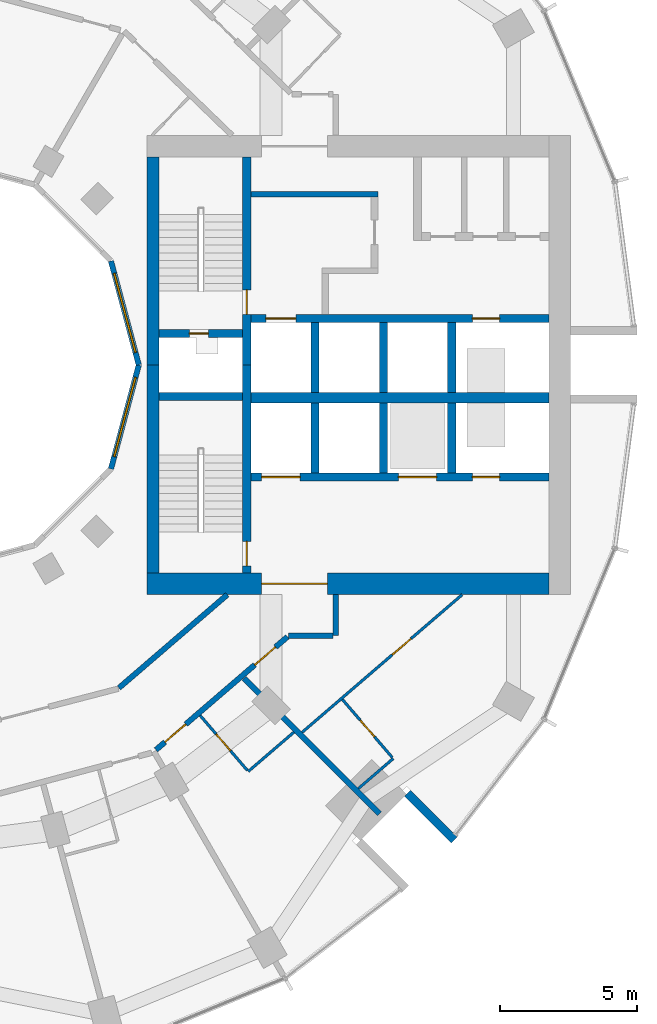
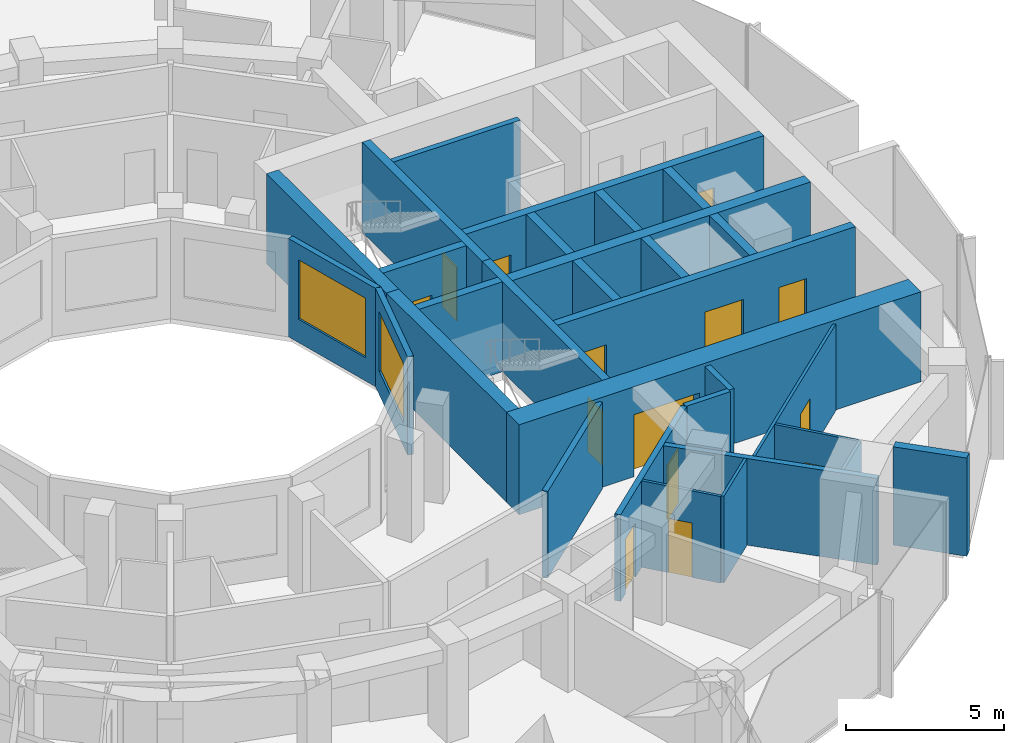
# One storey, part 10 of 15: 30 walls, 14 doors, 2 windows, 16 openings.
"""IFC4 building model written with IfcOpenShell, lengths in metres."""

from ifc_helpers import new_model, si_unit, direction, frame, frame_2d, origin, place, context, subcontext, project, spatial, rectangle, extrude, material, layer, layer_set, type_object, element, fill, save


model = new_model("IFC4")

# Units and contexts
model_context = context("Model", 3, precision=1e-05, world=origin(), true_north=direction((0.0, 1.0)))
body_context = subcontext(model_context, "Body", "Model", "MODEL_VIEW")
ifc_project = project(units=[si_unit("LENGTHUNIT", "METRE"), si_unit("AREAUNIT", "SQUARE_METRE"), si_unit("VOLUMEUNIT", "CUBIC_METRE"), si_unit("PLANEANGLEUNIT", "RADIAN"), si_unit("MASSUNIT", "GRAM", prefix="KILO")], contexts=[model_context])

# Site, building, storey
site_placement = place(None, origin())
site = spatial("IfcSite", under=ifc_project, at=site_placement, CompositionType="ELEMENT")
building_placement = place(site_placement, origin())
building = spatial("IfcBuilding", under=site, at=building_placement, Name="Torre Brocal", CompositionType="ELEMENT")
storey_placement = place(building_placement, frame((0.0, 0.0, 97.60009765625)))
storey = spatial("IfcBuildingStorey", under=building, at=storey_placement, Name="L22", CompositionType="ELEMENT", Elevation=97.60009765625)

# Wall
ifc_material_1 = material(Name="Concrete C80", Category="concrete")
ifc_layer_1 = layer(ifc_material_1, 0.199951171875)
ifc_layer_set_1 = layer_set([ifc_layer_1], Name="Concrete C80")
wall_type_1 = type_object("IfcWallType", Name="CORE WALL 200 C80", PredefinedType="SHEAR", material=ifc_layer_set_1)
wall_1_placement = place(storey_placement, frame((91.699951171875, 81.25, 0.0), z_axis=(0.0, 0.0, 1.0), x_axis=(1.0, 0.0, 0.0)))
element("IfcWall", 1, at=wall_1_placement, inside=storey, type_object=wall_type_1, Name="Wall CW200-80", PredefinedType="SHEAR", context=body_context, shape_type="SweptSolid", body=[
    extrude(rectangle(XDim=4.650146484375, YDim=0.199951171875, at=frame_2d((2.3251953125, 0.0))), origin(), (0.0, 0.0, 1.0), 3.47998046875),
])

# Wall, opening, door
ifc_material_2 = material(Name="Concrete C80", Category="concrete")
ifc_layer_2 = layer(ifc_material_2, 0.300048828125)
ifc_layer_set_2 = layer_set([ifc_layer_2], Name="Concrete C80")
wall_type_2 = type_object("IfcWallType", Name="CORE WALL 300 C80", PredefinedType="SHEAR", material=ifc_layer_set_2)
wall_2_placement = place(storey_placement, frame((91.550048828125, 75.0, 0.0), z_axis=(0.0, 0.0, 1.0), x_axis=(0.0, 1.0, 0.0)))
wall_2 = element("IfcWall", 2, at=wall_2_placement, inside=storey, type_object=wall_type_2, Name="Wall CW300-80", PredefinedType="SHEAR", context=body_context, shape_type="SweptSolid", body=[
    extrude(rectangle(XDim=7.60009765625, YDim=0.300048828125, at=frame_2d((3.800048828125, 0.0))), origin(), (0.0, 0.0, 1.0), 3.47998046875),
])
opening_1_placement = place(wall_2_placement, frame((1.85009765625, 0.0, 0.0)))
opening_1 = element("IfcOpeningElement", 3, at=opening_1_placement, cuts=wall_2, Name="Opening E-D02", PredefinedType="OPENING", context=body_context, shape_type="SweptSolid", body=[
    extrude(rectangle(XDim=0.89990234375, YDim=2.10009765625, at=frame_2d((0.449951171875, 1.050048828125))), frame((0.0, 0.159912109375, 0.0), z_axis=(0.0, -1.0, 0.0), x_axis=(1.0, 0.0, 0.0)), (0.0, 0.0, 1.0), 0.320068359375),
])
ifc_material_3 = material(Name="Steel A653", Category="steel")
door_type_1 = type_object("IfcDoorType", Name="STAIR DOOR FD120 900X2100", OperationType="SINGLE_SWING_RIGHT", PredefinedType="DOOR", material=ifc_material_3)
door_1_placement = place(opening_1_placement, origin())
door_1 = element("IfcDoor", 4, at=door_1_placement, inside=storey, type_object=door_type_1, Name="Door E-D02", OperationType="SINGLE_SWING_LEFT", OverallHeight=2.10009765625, OverallWidth=0.89990234375, PredefinedType="DOOR", context=body_context, shape_type="SweptSolid", body=[
    extrude(rectangle(XDim=0.89990234375, YDim=2.10009765625, at=frame_2d((0.449951171875, 1.050048828125))), frame((0.0, 0.02490234375, 0.0), z_axis=(0.0, -1.0, 0.0), x_axis=(1.0, 0.0, 0.0)), (0.0, 0.0, 1.0), 0.050048828125),
])
fill(opening_1, door_1)

wall_3_placement = place(storey_placement, frame((91.550048828125, 67.39990234375, 0.0), z_axis=(0.0, 0.0, 1.0), x_axis=(0.0, 1.0, 0.0)))
wall_3 = element("IfcWall", 5, at=wall_3_placement, inside=storey, type_object=wall_type_2, Name="Wall CW300-80", PredefinedType="SHEAR", context=body_context, shape_type="SweptSolid", body=[
    extrude(rectangle(XDim=7.60009765625, YDim=0.300048828125, at=frame_2d((3.800048828125, 0.0))), origin(), (0.0, 0.0, 1.0), 3.47998046875),
])
opening_2_placement = place(wall_3_placement, frame((0.25, 0.0, 0.0)))
opening_2 = element("IfcOpeningElement", 6, at=opening_2_placement, cuts=wall_3, Name="Opening E-D03", PredefinedType="OPENING", context=body_context, shape_type="SweptSolid", body=[
    extrude(rectangle(XDim=0.89990234375, YDim=2.10009765625, at=frame_2d((0.449951171875, 1.050048828125))), frame((0.0, 0.159912109375, 0.0), z_axis=(0.0, -1.0, 0.0), x_axis=(1.0, 0.0, 0.0)), (0.0, 0.0, 1.0), 0.320068359375),
])
door_2_placement = place(opening_2_placement, origin())
door_2 = element("IfcDoor", 7, at=door_2_placement, inside=storey, type_object=door_type_1, Name="Door E-D03", OperationType="SINGLE_SWING_LEFT", OverallHeight=2.10009765625, OverallWidth=0.89990234375, PredefinedType="DOOR", context=body_context, shape_type="SweptSolid", body=[
    extrude(rectangle(XDim=0.89990234375, YDim=2.10009765625, at=frame_2d((0.449951171875, 1.050048828125))), frame((0.0, 0.02490234375, 0.0), z_axis=(0.0, -1.0, 0.0), x_axis=(1.0, 0.0, 0.0)), (0.0, 0.0, 1.0), 0.050048828125),
])
fill(opening_2, door_2)

wall_4_placement = place(storey_placement, frame((88.35009765625, 76.14990234375, 0.0), z_axis=(0.0, 0.0, 1.0), x_axis=(1.0, 0.0, 0.0)))
wall_4 = element("IfcWall", 8, at=wall_4_placement, inside=storey, type_object=wall_type_2, Name="Wall CW300-80", PredefinedType="SHEAR", context=body_context, shape_type="SweptSolid", body=[
    extrude(rectangle(XDim=3.0498046875, YDim=0.300048828125, at=frame_2d((1.52490234375, 0.0))), origin(), (0.0, 0.0, 1.0), 3.47998046875),
])
opening_3_placement = place(wall_4_placement, frame((1.10009765625, 0.0, 0.0)))
opening_3 = element("IfcOpeningElement", 9, at=opening_3_placement, cuts=wall_4, Name="Opening E-D01", PredefinedType="OPENING", context=body_context, shape_type="SweptSolid", body=[
    extrude(rectangle(XDim=0.699951171875, YDim=2.0, at=frame_2d((0.35009765625, 1.0))), frame((0.0, 0.159912109375, 0.0), z_axis=(0.0, -1.0, 0.0), x_axis=(1.0, 0.0, 0.0)), (0.0, 0.0, 1.0), 0.320068359375),
])
ifc_material_4 = material(Name="Steel A653", Category="steel")
door_type_2 = type_object("IfcDoorType", Name="RISER DOOR FD120 700X2000", OperationType="SINGLE_SWING_LEFT", PredefinedType="DOOR", material=ifc_material_4)
door_3_placement = place(opening_3_placement, frame((0.699951171875, 0.0, 0.0), z_axis=(0.0, 0.0, 1.0), x_axis=(-1.0, 0.0, 0.0)))
door_3 = element("IfcDoor", 10, at=door_3_placement, inside=storey, type_object=door_type_2, Name="Door E-D01", OperationType="SINGLE_SWING_RIGHT", OverallHeight=2.0, OverallWidth=0.699951171875, PredefinedType="DOOR", context=body_context, shape_type="SweptSolid", body=[
    extrude(rectangle(XDim=0.699951171875, YDim=2.0, at=frame_2d((0.35009765625, 1.0))), frame((0.0, 0.02490234375, 0.0), z_axis=(0.0, -1.0, 0.0), x_axis=(1.0, 0.0, 0.0)), (0.0, 0.0, 1.0), 0.050048828125),
])
fill(opening_3, door_3)

# Wall
wall_5_placement = place(storey_placement, frame((88.35009765625, 73.85009765625, 0.0), z_axis=(0.0, 0.0, 1.0), x_axis=(1.0, 0.0, 0.0)))
element("IfcWall", 11, at=wall_5_placement, inside=storey, type_object=wall_type_2, Name="Wall CW300-80", PredefinedType="SHEAR", context=body_context, shape_type="SweptSolid", body=[
    extrude(rectangle(XDim=3.0498046875, YDim=0.300048828125, at=frame_2d((1.52490234375, 0.0))), origin(), (0.0, 0.0, 1.0), 3.47998046875),
])

# Wall, openings, doors
wall_6_placement = place(storey_placement, frame((91.699951171875, 76.699951171875, 0.0), z_axis=(0.0, 0.0, 1.0), x_axis=(1.0, 0.0, 0.0)))
wall_6 = element("IfcWall", 12, at=wall_6_placement, inside=storey, type_object=wall_type_2, Name="Wall CW300-80", PredefinedType="SHEAR", context=body_context, shape_type="SweptSolid", body=[
    extrude(rectangle(XDim=10.900146484375, YDim=0.300048828125, at=frame_2d((5.4501953125, 0.0))), origin(), (0.0, 0.0, 1.0), 3.47998046875),
])
opening_4_placement = place(wall_6_placement, frame((0.550048828125, 0.0, 0.0)))
opening_4 = element("IfcOpeningElement", 13, at=opening_4_placement, cuts=wall_6, Name="Opening LD", PredefinedType="OPENING", context=body_context, shape_type="SweptSolid", body=[
    extrude(rectangle(XDim=1.10009765625, YDim=2.10009765625, at=frame_2d((0.550048828125, 1.050048828125))), frame((0.0, 0.159912109375, 0.0), z_axis=(0.0, -1.0, 0.0), x_axis=(1.0, 0.0, 0.0)), (0.0, 0.0, 1.0), 0.320068359375),
])
opening_5_placement = place(wall_6_placement, frame((8.10009765625, 0.0, 0.0)))
opening_5 = element("IfcOpeningElement", 14, at=opening_5_placement, cuts=wall_6, Name="Opening LD10", PredefinedType="OPENING", context=body_context, shape_type="SweptSolid", body=[
    extrude(rectangle(XDim=1.0, YDim=2.10009765625, at=frame_2d((0.5, 1.050048828125))), frame((0.0, 0.159912109375, 0.0), z_axis=(0.0, -1.0, 0.0), x_axis=(1.0, 0.0, 0.0)), (0.0, 0.0, 1.0), 0.320068359375),
])
ifc_material_5 = material(Name="Stainless steel AISI 316", Category="steel")
door_type_3 = type_object("IfcDoorType", Name="LIFT LANDING DOOR 1000X2100", OperationType="DOUBLE_DOOR_SLIDING", PredefinedType="DOOR", material=ifc_material_5)
door_4_placement = place(opening_5_placement, origin())
door_4 = element("IfcDoor", 15, at=door_4_placement, inside=storey, type_object=door_type_3, Name="Door LD10", OperationType="DOUBLE_DOOR_SLIDING", OverallHeight=2.10009765625, OverallWidth=1.0, PredefinedType="DOOR", context=body_context, shape_type="SweptSolid", body=[
    extrude(rectangle(XDim=1.0, YDim=2.10009765625, at=frame_2d((0.5, 1.050048828125))), frame((0.0, 0.02490234375, 0.0), z_axis=(0.0, -1.0, 0.0), x_axis=(1.0, 0.0, 0.0)), (0.0, 0.0, 1.0), 0.050048828125),
])
fill(opening_5, door_4)
ifc_material_6 = material(Name="Stainless steel AISI 316", Category="steel")
door_type_4 = type_object("IfcDoorType", Name="LIFT LANDING DOOR 1100X2100", OperationType="DOUBLE_DOOR_SLIDING", PredefinedType="DOOR", material=ifc_material_6)
door_5_placement = place(opening_4_placement, origin())
door_5 = element("IfcDoor", 16, at=door_5_placement, inside=storey, type_object=door_type_4, Name="Door LD", OperationType="DOUBLE_DOOR_SLIDING", OverallHeight=2.10009765625, OverallWidth=1.10009765625, PredefinedType="DOOR", context=body_context, shape_type="SweptSolid", body=[
    extrude(rectangle(XDim=1.10009765625, YDim=2.10009765625, at=frame_2d((0.550048828125, 1.050048828125))), frame((0.0, 0.02490234375, 0.0), z_axis=(0.0, -1.0, 0.0), x_axis=(1.0, 0.0, 0.0)), (0.0, 0.0, 1.0), 0.050048828125),
])
fill(opening_4, door_5)

wall_7_placement = place(storey_placement, frame((91.699951171875, 70.89990234375, 0.0), z_axis=(0.0, 0.0, 1.0), x_axis=(1.0, 0.0, 0.0)))
wall_7 = element("IfcWall", 17, at=wall_7_placement, inside=storey, type_object=wall_type_2, Name="Wall CW300-80", PredefinedType="SHEAR", context=body_context, shape_type="SweptSolid", body=[
    extrude(rectangle(XDim=10.900146484375, YDim=0.300048828125, at=frame_2d((5.4501953125, 0.0))), origin(), (0.0, 0.0, 1.0), 3.47998046875),
])
opening_6_placement = place(wall_7_placement, frame((0.39990234375, 0.0, 0.0)))
opening_6 = element("IfcOpeningElement", 18, at=opening_6_placement, cuts=wall_7, Name="Opening LD14", PredefinedType="OPENING", context=body_context, shape_type="SweptSolid", body=[
    extrude(rectangle(XDim=1.39990234375, YDim=2.10009765625, at=frame_2d((0.699951171875, 1.050048828125))), frame((0.0, 0.159912109375, 0.0), z_axis=(0.0, -1.0, 0.0), x_axis=(1.0, 0.0, 0.0)), (0.0, 0.0, 1.0), 0.320068359375),
])
opening_7_placement = place(wall_7_placement, frame((5.39990234375, 0.0, 0.0)))
opening_7 = element("IfcOpeningElement", 19, at=opening_7_placement, cuts=wall_7, Name="Opening LD14", PredefinedType="OPENING", context=body_context, shape_type="SweptSolid", body=[
    extrude(rectangle(XDim=1.39990234375, YDim=2.10009765625, at=frame_2d((0.699951171875, 1.050048828125))), frame((0.0, 0.159912109375, 0.0), z_axis=(0.0, -1.0, 0.0), x_axis=(1.0, 0.0, 0.0)), (0.0, 0.0, 1.0), 0.320068359375),
])
opening_8_placement = place(wall_7_placement, frame((8.10009765625, 0.0, 0.0)))
opening_8 = element("IfcOpeningElement", 20, at=opening_8_placement, cuts=wall_7, Name="Opening LD10", PredefinedType="OPENING", context=body_context, shape_type="SweptSolid", body=[
    extrude(rectangle(XDim=1.0, YDim=2.10009765625, at=frame_2d((0.5, 1.050048828125))), frame((0.0, 0.159912109375, 0.0), z_axis=(0.0, -1.0, 0.0), x_axis=(1.0, 0.0, 0.0)), (0.0, 0.0, 1.0), 0.320068359375),
])
door_6_placement = place(opening_8_placement, origin())
door_6 = element("IfcDoor", 21, at=door_6_placement, inside=storey, type_object=door_type_3, Name="Door LD10", OperationType="DOUBLE_DOOR_SLIDING", OverallHeight=2.10009765625, OverallWidth=1.0, PredefinedType="DOOR", context=body_context, shape_type="SweptSolid", body=[
    extrude(rectangle(XDim=1.0, YDim=2.10009765625, at=frame_2d((0.5, 1.050048828125))), frame((0.0, 0.02490234375, 0.0), z_axis=(0.0, -1.0, 0.0), x_axis=(1.0, 0.0, 0.0)), (0.0, 0.0, 1.0), 0.050048828125),
])
fill(opening_8, door_6)
ifc_material_7 = material(Name="Stainless steel AISI 316", Category="steel")
door_type_5 = type_object("IfcDoorType", Name="LIFT LANDING DOOR 1400X2100", OperationType="DOUBLE_DOOR_SLIDING", PredefinedType="DOOR", material=ifc_material_7)
door_7_placement = place(opening_6_placement, origin())
door_7 = element("IfcDoor", 22, at=door_7_placement, inside=storey, type_object=door_type_5, Name="Door LD14", OperationType="DOUBLE_DOOR_SLIDING", OverallHeight=2.10009765625, OverallWidth=1.39990234375, PredefinedType="DOOR", context=body_context, shape_type="SweptSolid", body=[
    extrude(rectangle(XDim=1.39990234375, YDim=2.10009765625, at=frame_2d((0.699951171875, 1.050048828125))), frame((0.0, 0.02490234375, 0.0), z_axis=(0.0, -1.0, 0.0), x_axis=(1.0, 0.0, 0.0)), (0.0, 0.0, 1.0), 0.050048828125),
])
fill(opening_6, door_7)
door_8_placement = place(opening_7_placement, origin())
door_8 = element("IfcDoor", 23, at=door_8_placement, inside=storey, type_object=door_type_5, Name="Door LD14", OperationType="DOUBLE_DOOR_SLIDING", OverallHeight=2.10009765625, OverallWidth=1.39990234375, PredefinedType="DOOR", context=body_context, shape_type="SweptSolid", body=[
    extrude(rectangle(XDim=1.39990234375, YDim=2.10009765625, at=frame_2d((0.699951171875, 1.050048828125))), frame((0.0, 0.02490234375, 0.0), z_axis=(0.0, -1.0, 0.0), x_axis=(1.0, 0.0, 0.0)), (0.0, 0.0, 1.0), 0.050048828125),
])
fill(opening_7, door_8)

# Walls
for number, where, z_axis, x_axis, name in (
    (24, (94.050048828125, 74.0, 0.0), (0.0, 0.0, 1.0), (0.0, 1.0, 0.0), "Wall CW300-80"),
    (25, (96.550048828125, 74.0, 0.0), (0.0, 0.0, 1.0), (0.0, 1.0, 0.0), "Wall CW300-80"),
    (26, (99.050048828125, 74.0, 0.0), (0.0, 0.0, 1.0), (0.0, 1.0, 0.0), "Wall CW300-80"),
    (27, (94.050048828125, 71.050048828125, 0.0), (0.0, 0.0, 1.0), (0.0, 1.0, 0.0), "Wall CW300-80"),
    (28, (96.550048828125, 71.050048828125, 0.0), (0.0, 0.0, 1.0), (0.0, 1.0, 0.0), "Wall CW300-80"),
    (29, (99.050048828125, 71.050048828125, 0.0), (0.0, 0.0, 1.0), (0.0, 1.0, 0.0), "Wall CW300-80"),
):
    element("IfcWall", number, at=place(storey_placement, frame(where, z_axis=z_axis, x_axis=x_axis)), inside=storey, type_object=wall_type_2, Name=name, PredefinedType="SHEAR", context=body_context, shape_type="SweptSolid", body=[
        extrude(rectangle(XDim=2.550048828125, YDim=0.300048828125, at=frame_2d((1.27490234375, 0.0))), origin(), (0.0, 0.0, 1.0), 3.47998046875),
    ])
ifc_material_8 = material(Name="Concrete C80", Category="concrete")
ifc_layer_3 = layer(ifc_material_8, 0.39990234375)
ifc_layer_set_3 = layer_set([ifc_layer_3], Name="Concrete C80")
wall_type_3 = type_object("IfcWallType", Name="CORE WALL 400 C80", PredefinedType="SHEAR", material=ifc_layer_set_3)
wall_8_placement = place(storey_placement, frame((91.699951171875, 73.800048828125, 0.0), z_axis=(0.0, 0.0, 1.0), x_axis=(1.0, 0.0, 0.0)))
element("IfcWall", 30, at=wall_8_placement, inside=storey, type_object=wall_type_3, Name="Wall CW400-80", PredefinedType="SHEAR", context=body_context, shape_type="SweptSolid", body=[
    extrude(rectangle(XDim=10.900146484375, YDim=0.39990234375, at=frame_2d((5.4501953125, 0.0))), origin(), (0.0, 0.0, 1.0), 3.47998046875),
])
ifc_material_9 = material(Name="Concrete C80", Category="concrete")
ifc_layer_4 = layer(ifc_material_9, 0.449951171875)
ifc_layer_set_4 = layer_set([ifc_layer_4], Name="Concrete C80")
wall_type_4 = type_object("IfcWallType", Name="CORE WALL 450 C80", PredefinedType="SHEAR", material=ifc_layer_set_4)
for number, where, z_axis, x_axis, name in (
    (31, (88.125, 75.0, 0.0), (0.0, 0.0, 1.0), (0.0, 1.0, 0.0), "Wall CW450-80"),
    (32, (88.125, 67.39990234375, 0.0), (0.0, 0.0, 1.0), (0.0, 1.0, 0.0), "Wall CW450-80"),
):
    element("IfcWall", number, at=place(storey_placement, frame(where, z_axis=z_axis, x_axis=x_axis)), inside=storey, type_object=wall_type_4, Name=name, PredefinedType="SHEAR", context=body_context, shape_type="SweptSolid", body=[
        extrude(rectangle(XDim=7.60009765625, YDim=0.449951171875, at=frame_2d((3.800048828125, 0.0))), origin(), (0.0, 0.0, 1.0), 3.47998046875),
    ])

# Wall, opening, door
ifc_material_10 = material(Name="Concrete C80", Category="concrete")
ifc_layer_5 = layer(ifc_material_10, 0.800048828125)
ifc_layer_set_5 = layer_set([ifc_layer_5], Name="Concrete C80")
wall_type_5 = type_object("IfcWallType", Name="CORE WALL 800 C80", PredefinedType="SHEAR", material=ifc_layer_set_5)
wall_9_placement = place(storey_placement, frame((87.89990234375, 67.0, 0.0), z_axis=(0.0, 0.0, 1.0), x_axis=(1.0, 0.0, 0.0)))
wall_9 = element("IfcWall", 33, at=wall_9_placement, inside=storey, type_object=wall_type_5, Name="Wall CW800-80", PredefinedType="SHEAR", context=body_context, shape_type="SweptSolid", body=[
    extrude(rectangle(XDim=14.7001953125, YDim=0.800048828125, at=frame_2d((7.35009765625, 0.0))), origin(), (0.0, 0.0, 1.0), 3.47998046875),
])
opening_9_placement = place(wall_9_placement, frame((4.199951171875, 0.0, 0.0)))
opening_9 = element("IfcOpeningElement", 34, at=opening_9_placement, cuts=wall_9, Name="Opening E-D30", PredefinedType="OPENING", context=body_context, shape_type="SweptSolid", body=[
    extrude(rectangle(XDim=2.39990234375, YDim=2.39990234375, at=frame_2d((1.199951171875, 1.199951171875))), frame((0.0, 0.409912109375, 0.0), z_axis=(0.0, -1.0, 0.0), x_axis=(1.0, 0.0, 0.0)), (0.0, 0.0, 1.0), 0.820068359375),
])
ifc_material_11 = material(Name="Steel A653", Category="steel")
door_type_6 = type_object("IfcDoorType", Name="DOUBLE FIRE DOOR FD90 2400X2400", OperationType="DOUBLE_DOOR_SINGLE_SWING", PredefinedType="DOOR", material=ifc_material_11)
door_9_placement = place(opening_9_placement, origin())
door_9 = element("IfcDoor", 35, at=door_9_placement, inside=storey, type_object=door_type_6, Name="Door E-D30", OperationType="DOUBLE_DOOR_SINGLE_SWING", OverallHeight=2.39990234375, OverallWidth=2.39990234375, PredefinedType="DOOR", context=body_context, shape_type="SweptSolid", body=[
    extrude(rectangle(XDim=2.39990234375, YDim=2.39990234375, at=frame_2d((1.199951171875, 1.199951171875))), frame((0.0, 0.02490234375, 0.0), z_axis=(0.0, -1.0, 0.0), x_axis=(1.0, 0.0, 0.0)), (0.0, 0.0, 1.0), 0.050048828125),
])
fill(opening_9, door_9)

# Wall
ifc_material_12 = material(Name="Concrete C80", Category="concrete")
ifc_layer_6 = layer(ifc_material_12, 0.300048828125)
ifc_layer_set_6 = layer_set([ifc_layer_6], Name="Concrete C80")
wall_type_6 = type_object("IfcWallType", Name="NOTCH RETURN WALL 300 C80", PredefinedType="NOTDEFINED", material=ifc_layer_set_6)
wall_10_placement = place(storey_placement, frame((97.43017578125, 59.337646484375, 0.0), z_axis=(0.0, 0.0, 1.0), x_axis=(0.707106781187, -0.707106781187, 0.0)))
element("IfcWall", 36, at=wall_10_placement, inside=storey, type_object=wall_type_6, Name="NOTCH RETURN WALL", PredefinedType="NOTDEFINED", context=body_context, shape_type="SweptSolid", body=[
    extrude(rectangle(XDim=2.415771484375, YDim=0.300048828125, at=frame_2d((1.2080078125, 0.0))), origin(), (0.0, 0.0, 1.0), 3.7998046875),
])

# Wall, opening, door
ifc_material_13 = material(Name="Gypsum board", Category="Gypsum")
ifc_layer_7 = layer(ifc_material_13, 0.10009765625)
ifc_layer_set_7 = layer_set([ifc_layer_7], Name="Gypsum board")
wall_type_7 = type_object("IfcWallType", Name="PARTITION 100", PredefinedType="PARTITIONING", material=ifc_layer_set_7)
wall_11_placement = place(storey_placement, frame((89.846435546875, 62.181884765625, 0.0), z_axis=(0.0, 0.0, 1.0), x_axis=(0.652095405055, -0.758136915541, 0.0)))
wall_11 = element("IfcWall", 37, at=wall_11_placement, inside=storey, type_object=wall_type_7, Name="BATHROOM WALL", PredefinedType="PARTITIONING", context=body_context, shape_type="SweptSolid", body=[
    extrude(rectangle(XDim=2.64990234375, YDim=0.10009765625, at=frame_2d((1.324951171875, 0.0))), origin(), (0.0, 0.0, 1.0), 3.349853515625),
])
opening_10_placement = place(wall_11_placement, frame((0.899658203125, 0.0, 0.0)))
opening_10 = element("IfcOpeningElement", 38, at=opening_10_placement, cuts=wall_11, Name="Opening H06-D22", PredefinedType="OPENING", context=body_context, shape_type="SweptSolid", body=[
    extrude(rectangle(XDim=0.800048828125, YDim=2.10009765625, at=frame_2d((0.39990234375, 1.050048828125))), frame((0.0, 0.06005859375, 0.0), z_axis=(0.0, -1.0, 0.0), x_axis=(1.0, 0.0, 0.0)), (0.0, 0.0, 1.0), 0.1201171875),
])
ifc_material_14 = material(Name="Timber", Category="wood")
door_type_7 = type_object("IfcDoorType", Name="BATHROOM DOOR 800X2100", OperationType="SINGLE_SWING_LEFT", PredefinedType="DOOR", material=ifc_material_14)
door_10_placement = place(opening_10_placement, origin())
door_10 = element("IfcDoor", 39, at=door_10_placement, inside=storey, type_object=door_type_7, Name="H06-D22", OperationType="SINGLE_SWING_LEFT", OverallHeight=2.10009765625, OverallWidth=0.800048828125, PredefinedType="DOOR", context=body_context, shape_type="SweptSolid", body=[
    extrude(rectangle(XDim=0.800048828125, YDim=2.10009765625, at=frame_2d((0.39990234375, 1.050048828125))), frame((0.0, 0.02490234375, 0.0), z_axis=(0.0, -1.0, 0.0), x_axis=(1.0, 0.0, 0.0)), (0.0, 0.0, 1.0), 0.050048828125),
])
fill(opening_10, door_10)

# Wall
wall_12_placement = place(storey_placement, frame((91.60693359375, 60.135009765625, 0.0), z_axis=(0.0, 0.0, 1.0), x_axis=(0.758135842672, 0.652096652388, 0.0)))
element("IfcWall", 40, at=wall_12_placement, inside=storey, type_object=wall_type_7, Name="BATHROOM WALL", PredefinedType="PARTITIONING", context=body_context, shape_type="SweptSolid", body=[
    extrude(rectangle(XDim=2.201171875, YDim=0.10009765625, at=frame_2d((1.1005859375, 0.0))), origin(), (0.0, 0.0, 1.0), 3.349853515625),
])

# Wall, opening, door
wall_13_placement = place(storey_placement, frame((93.576904296875, 61.565185546875, 0.0), z_axis=(0.0, 0.0, 1.0), x_axis=(0.75812140399, 0.652113438607, 0.0)))
wall_13 = element("IfcWall", 41, at=wall_13_placement, inside=storey, type_object=wall_type_7, Name="BATHROOM WALL", PredefinedType="PARTITIONING", context=body_context, shape_type="SweptSolid", body=[
    extrude(rectangle(XDim=7.7197265625, YDim=0.10009765625, at=frame_2d((3.85986328125, 0.0))), origin(), (0.0, 0.0, 1.0), 3.349853515625),
])
opening_11_placement = place(wall_13_placement, frame((4.349853515625, 0.0, 0.0)))
opening_11 = element("IfcOpeningElement", 42, at=opening_11_placement, cuts=wall_13, Name="Opening H06-D19", PredefinedType="OPENING", context=body_context, shape_type="SweptSolid", body=[
    extrude(rectangle(XDim=0.89990234375, YDim=2.10009765625, at=frame_2d((0.449951171875, 1.050048828125))), frame((0.0, 0.06005859375, 0.0), z_axis=(0.0, -1.0, 0.0), x_axis=(1.0, 0.0, 0.0)), (0.0, 0.0, 1.0), 0.1201171875),
])
ifc_material_15 = material(Name="Timber", Category="wood")
door_type_8 = type_object("IfcDoorType", Name="ROOM DOOR 900X2100", OperationType="SINGLE_SWING_LEFT", PredefinedType="DOOR", material=ifc_material_15)
door_11_placement = place(opening_11_placement, origin())
door_11 = element("IfcDoor", 43, at=door_11_placement, inside=storey, type_object=door_type_8, Name="H06-D19", OperationType="SINGLE_SWING_RIGHT", OverallHeight=2.10009765625, OverallWidth=0.89990234375, PredefinedType="DOOR", context=body_context, shape_type="SweptSolid", body=[
    extrude(rectangle(XDim=0.89990234375, YDim=2.10009765625, at=frame_2d((0.449951171875, 1.050048828125))), frame((0.0, 0.02490234375, 0.0), z_axis=(0.0, -1.0, 0.0), x_axis=(1.0, 0.0, 0.0)), (0.0, 0.0, 1.0), 0.050048828125),
])
fill(opening_11, door_11)

wall_14_placement = place(storey_placement, frame((95.049560546875, 62.76611328125, 0.0), z_axis=(0.0, 0.0, 1.0), x_axis=(0.652190642827, -0.75805498838, 0.0)))
wall_14 = element("IfcWall", 44, at=wall_14_placement, inside=storey, type_object=wall_type_7, Name="BATHROOM WALL", PredefinedType="PARTITIONING", context=body_context, shape_type="SweptSolid", body=[
    extrude(rectangle(XDim=2.7998046875, YDim=0.10009765625, at=frame_2d((1.39990234375, 0.0))), origin(), (0.0, 0.0, 1.0), 3.349853515625),
])
opening_12_placement = place(wall_14_placement, frame((0.999755859375, 0.0, 0.0)))
opening_12 = element("IfcOpeningElement", 45, at=opening_12_placement, cuts=wall_14, Name="Opening H06-D20", PredefinedType="OPENING", context=body_context, shape_type="SweptSolid", body=[
    extrude(rectangle(XDim=0.800048828125, YDim=2.10009765625, at=frame_2d((0.39990234375, 1.050048828125))), frame((0.0, 0.06005859375, 0.0), z_axis=(0.0, -1.0, 0.0), x_axis=(1.0, 0.0, 0.0)), (0.0, 0.0, 1.0), 0.1201171875),
])
door_12_placement = place(opening_12_placement, frame((0.800048828125, 0.0, 0.0), z_axis=(0.0, 0.0, 1.0), x_axis=(-1.0, 0.0, 0.0)))
door_12 = element("IfcDoor", 46, at=door_12_placement, inside=storey, type_object=door_type_7, Name="H06-D20", OperationType="SINGLE_SWING_RIGHT", OverallHeight=2.10009765625, OverallWidth=0.800048828125, PredefinedType="DOOR", context=body_context, shape_type="SweptSolid", body=[
    extrude(rectangle(XDim=0.800048828125, YDim=2.10009765625, at=frame_2d((0.39990234375, 1.050048828125))), frame((0.0, 0.02490234375, 0.0), z_axis=(0.0, -1.0, 0.0), x_axis=(1.0, 0.0, 0.0)), (0.0, 0.0, 1.0), 0.050048828125),
])
fill(opening_12, door_12)

# Walls
wall_15_placement = place(storey_placement, frame((95.6337890625, 59.50927734375, 0.0), z_axis=(0.0, 0.0, 1.0), x_axis=(0.757922369717, 0.652344756614, 0.0)))
element("IfcWall", 47, at=wall_15_placement, inside=storey, type_object=wall_type_7, Name="BATHROOM WALL", PredefinedType="PARTITIONING", context=body_context, shape_type="SweptSolid", body=[
    extrude(rectangle(XDim=1.68115234375, YDim=0.10009765625, at=frame_2d((0.840576171875, 0.0))), origin(), (0.0, 0.0, 1.0), 3.349853515625),
])
ifc_material_16 = material(Name="Gypsum board", Category="Gypsum")
ifc_layer_8 = layer(ifc_material_16, 0.199951171875)
ifc_layer_set_8 = layer_set([ifc_layer_8], Name="Gypsum board")
wall_type_8 = type_object("IfcWallType", Name="PARTITION 200 EI60", PredefinedType="PARTITIONING", material=ifc_layer_set_8)
wall_16_placement = place(storey_placement, frame((86.876953125, 63.18896484375, 0.0), z_axis=(0.0, 0.0, 1.0), x_axis=(0.758088707506, 0.652151448325, 0.0)))
element("IfcWall", 48, at=wall_16_placement, inside=storey, type_object=wall_type_8, Name="GUESTROOM CORRIDOR WALL", PredefinedType="PARTITIONING", context=body_context, shape_type="SweptSolid", body=[
    extrude(rectangle(XDim=5.22900390625, YDim=0.199951171875, at=frame_2d((2.614501953125, 0.0))), origin(), (0.0, 0.0, 1.0), 3.349853515625),
])

# Wall, openings, doors
wall_17_placement = place(storey_placement, frame((88.228759765625, 60.922607421875, 0.0), z_axis=(0.0, 0.0, 1.0), x_axis=(0.758220952094, 0.651997690031, 0.0)))
wall_17 = element("IfcWall", 49, at=wall_17_placement, inside=storey, type_object=wall_type_8, Name="FLAT ENTRANCE WALL", PredefinedType="PARTITIONING", context=body_context, shape_type="SweptSolid", body=[
    extrude(rectangle(XDim=6.345703125, YDim=0.199951171875, at=frame_2d((3.1728515625, 0.0))), origin(), (0.0, 0.0, 1.0), 3.349853515625),
])
opening_13_placement = place(wall_17_placement, frame((4.766845703125, 0.0, 0.0)))
opening_13 = element("IfcOpeningElement", 50, at=opening_13_placement, cuts=wall_17, Name="Opening H06-D18", PredefinedType="OPENING", context=body_context, shape_type="SweptSolid", body=[
    extrude(rectangle(XDim=1.0, YDim=2.10009765625, at=frame_2d((0.5, 1.050048828125))), frame((0.0, 0.10986328125, 0.0), z_axis=(0.0, -1.0, 0.0), x_axis=(1.0, 0.0, 0.0)), (0.0, 0.0, 1.0), 0.219970703125),
])
opening_14_placement = place(wall_17_placement, frame((0.4404296875, 0.0, 0.0)))
opening_14 = element("IfcOpeningElement", 51, at=opening_14_placement, cuts=wall_17, Name="Opening H06-D21", PredefinedType="OPENING", context=body_context, shape_type="SweptSolid", body=[
    extrude(rectangle(XDim=1.0, YDim=2.10009765625, at=frame_2d((0.5, 1.050048828125))), frame((0.0, 0.10986328125, 0.0), z_axis=(0.0, -1.0, 0.0), x_axis=(1.0, 0.0, 0.0)), (0.0, 0.0, 1.0), 0.219970703125),
])
ifc_material_17 = material(Name="Timber", Category="wood")
door_type_9 = type_object("IfcDoorType", Name="FLAT ENTRY DOOR FD30S 1000X2100", OperationType="SINGLE_SWING_RIGHT", PredefinedType="DOOR", material=ifc_material_17)
door_13_placement = place(opening_13_placement, frame((1.0, 0.0, 0.0), z_axis=(0.0, 0.0, 1.0), x_axis=(-1.0, 0.0, 0.0)))
door_13 = element("IfcDoor", 52, at=door_13_placement, inside=storey, type_object=door_type_9, Name="H06-D18", OperationType="SINGLE_SWING_RIGHT", OverallHeight=2.10009765625, OverallWidth=1.0, PredefinedType="DOOR", context=body_context, shape_type="SweptSolid", body=[
    extrude(rectangle(XDim=1.0, YDim=2.10009765625, at=frame_2d((0.5, 1.050048828125))), frame((0.0, 0.02490234375, 0.0), z_axis=(0.0, -1.0, 0.0), x_axis=(1.0, 0.0, 0.0)), (0.0, 0.0, 1.0), 0.050048828125),
])
fill(opening_13, door_13)
door_14_placement = place(opening_14_placement, frame((1.0, 0.0, 0.0), z_axis=(0.0, 0.0, 1.0), x_axis=(-1.0, 0.0, 0.0)))
door_14 = element("IfcDoor", 53, at=door_14_placement, inside=storey, type_object=door_type_9, Name="H06-D21", OperationType="SINGLE_SWING_RIGHT", OverallHeight=2.10009765625, OverallWidth=1.0, PredefinedType="DOOR", context=body_context, shape_type="SweptSolid", body=[
    extrude(rectangle(XDim=1.0, YDim=2.10009765625, at=frame_2d((0.5, 1.050048828125))), frame((0.0, 0.02490234375, 0.0), z_axis=(0.0, -1.0, 0.0), x_axis=(1.0, 0.0, 0.0)), (0.0, 0.0, 1.0), 0.050048828125),
])
fill(opening_14, door_14)

# Walls
wall_18_placement = place(storey_placement, frame((91.448486328125, 63.547119140625, 0.0), z_axis=(0.0, 0.0, 1.0), x_axis=(0.706949958062, -0.707263569538, 0.0)))
element("IfcWall", 54, at=wall_18_placement, inside=storey, type_object=wall_type_8, Name="BATHROOM WALL", PredefinedType="PARTITIONING", context=body_context, shape_type="SweptSolid", body=[
    extrude(rectangle(XDim=7.00634765625, YDim=0.199951171875, at=frame_2d((3.503173828125, 0.0))), origin(), (0.0, 0.0, 1.0), 3.349853515625),
])
wall_19_placement = place(storey_placement, frame((93.0849609375, 65.10009765625, 0.0), z_axis=(0.0, 0.0, 1.0), x_axis=(1.0, 0.0, 0.0)))
element("IfcWall", 55, at=wall_19_placement, inside=storey, type_object=wall_type_8, Name="FLAT ENTRANCE WALL", PredefinedType="PARTITIONING", context=body_context, shape_type="SweptSolid", body=[
    extrude(rectangle(XDim=1.614990234375, YDim=0.199951171875, at=frame_2d((0.8076171875, 0.0))), origin(), (0.0, 0.0, 1.0), 3.349853515625),
])
wall_20_placement = place(storey_placement, frame((94.800048828125, 65.10009765625, 0.0), z_axis=(0.0, 0.0, 1.0), x_axis=(0.0, 1.0, 0.0)))
element("IfcWall", 56, at=wall_20_placement, inside=storey, type_object=wall_type_8, Name="FLAT ENTRANCE WALL", PredefinedType="PARTITIONING", context=body_context, shape_type="SweptSolid", body=[
    extrude(rectangle(XDim=1.4990234375, YDim=0.199951171875, at=frame_2d((0.74951171875, 0.0))), origin(), (0.0, 0.0, 1.0), 3.349853515625),
])

# Wall, opening, window
ifc_material_18 = material(Name="Concrete C40", Category="concrete")
ifc_layer_9 = layer(ifc_material_18, 0.199951171875)
ifc_layer_set_9 = layer_set([ifc_layer_9], Name="Concrete C40")
wall_type_9 = type_object("IfcWallType", Name="WELL FACADE WALL 200", PredefinedType="NOTDEFINED", material=ifc_layer_set_9)
wall_21_placement = place(storey_placement, frame((87.603515625, 75.0, 0.0), z_axis=(0.0, 0.0, 1.0), x_axis=(-0.258789828301, 0.965933654434, 0.0)))
wall_21 = element("IfcWall", 57, at=wall_21_placement, inside=storey, type_object=wall_type_9, Name="WELL FACADE WALL", PredefinedType="NOTDEFINED", context=body_context, shape_type="SweptSolid", body=[
    extrude(rectangle(XDim=3.935791015625, YDim=0.199951171875, at=frame_2d((1.9677734375, 0.0))), origin(), (0.0, 0.0, 1.0), 3.7998046875),
])
opening_15_placement = place(wall_21_placement, frame((0.468017578125, 0.0, 0.89990234375)))
opening_15 = element("IfcOpeningElement", 58, at=opening_15_placement, cuts=wall_21, Name="Opening W1", PredefinedType="OPENING", context=body_context, shape_type="SweptSolid", body=[
    extrude(rectangle(XDim=3.0, YDim=2.300048828125, at=frame_2d((1.5, 1.14990234375))), frame((0.0, 0.10986328125, 0.0), z_axis=(0.0, -1.0, 0.0), x_axis=(1.0, 0.0, 0.0)), (0.0, 0.0, 1.0), 0.219970703125),
])
ifc_material_19 = material(Name="Aluminium and glass", Category="aluminium")
window_type = type_object("IfcWindowType", Name="WELL WINDOW 3000X2300", PartitioningType="SINGLE_PANEL", PredefinedType="WINDOW", material=ifc_material_19)
window_1_placement = place(opening_15_placement, origin())
window_1 = element("IfcWindow", 59, at=window_1_placement, inside=storey, type_object=window_type, Name="WELL WINDOW 3000X2300", OverallHeight=2.300048828125, OverallWidth=3.0, PartitioningType="SINGLE_PANEL", PredefinedType="WINDOW", context=body_context, shape_type="SweptSolid", body=[
    extrude(rectangle(XDim=3.0, YDim=2.300048828125, at=frame_2d((1.5, 1.14990234375))), frame((0.0, 0.030029296875, 0.0), z_axis=(0.0, -1.0, 0.0), x_axis=(1.0, 0.0, 0.0)), (0.0, 0.0, 1.0), 0.06005859375),
])
fill(opening_15, window_1)

wall_22_placement = place(storey_placement, frame((86.5849609375, 71.1982421875, 0.0), z_axis=(0.0, 0.0, 1.0), x_axis=(0.258789828301, 0.965933654434, 0.0)))
wall_22 = element("IfcWall", 60, at=wall_22_placement, inside=storey, type_object=wall_type_9, Name="WELL FACADE WALL", PredefinedType="NOTDEFINED", context=body_context, shape_type="SweptSolid", body=[
    extrude(rectangle(XDim=3.935791015625, YDim=0.199951171875, at=frame_2d((1.9677734375, 0.0))), origin(), (0.0, 0.0, 1.0), 3.7998046875),
])
opening_16_placement = place(wall_22_placement, frame((0.468017578125, 0.0, 0.89990234375)))
opening_16 = element("IfcOpeningElement", 61, at=opening_16_placement, cuts=wall_22, Name="Opening W1", PredefinedType="OPENING", context=body_context, shape_type="SweptSolid", body=[
    extrude(rectangle(XDim=3.0, YDim=2.300048828125, at=frame_2d((1.5, 1.14990234375))), frame((0.0, 0.10986328125, 0.0), z_axis=(0.0, -1.0, 0.0), x_axis=(1.0, 0.0, 0.0)), (0.0, 0.0, 1.0), 0.219970703125),
])
window_2_placement = place(opening_16_placement, origin())
window_2 = element("IfcWindow", 62, at=window_2_placement, inside=storey, type_object=window_type, Name="WELL WINDOW 3000X2300", OverallHeight=2.300048828125, OverallWidth=3.0, PartitioningType="SINGLE_PANEL", PredefinedType="WINDOW", context=body_context, shape_type="SweptSolid", body=[
    extrude(rectangle(XDim=3.0, YDim=2.300048828125, at=frame_2d((1.5, 1.14990234375))), frame((0.0, 0.030029296875, 0.0), z_axis=(0.0, -1.0, 0.0), x_axis=(1.0, 0.0, 0.0)), (0.0, 0.0, 1.0), 0.06005859375),
])
fill(opening_16, window_2)

save(model, "model.ifc")
